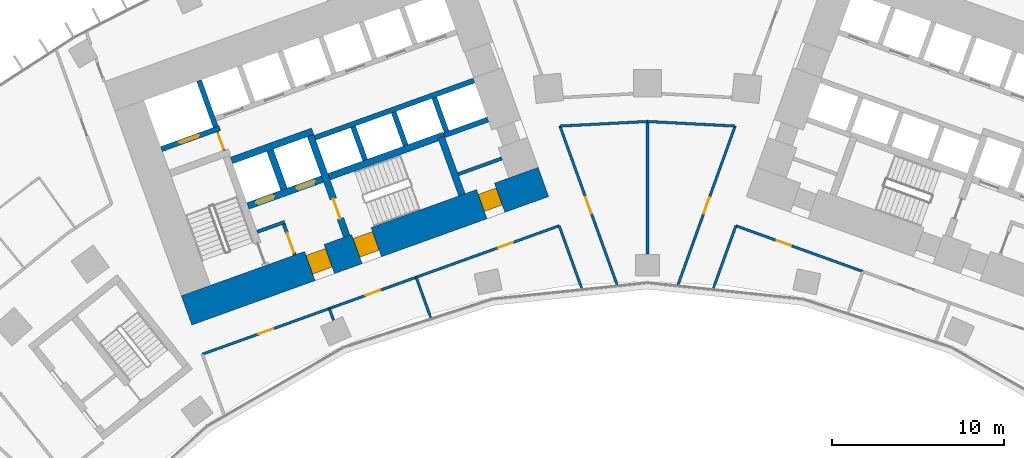
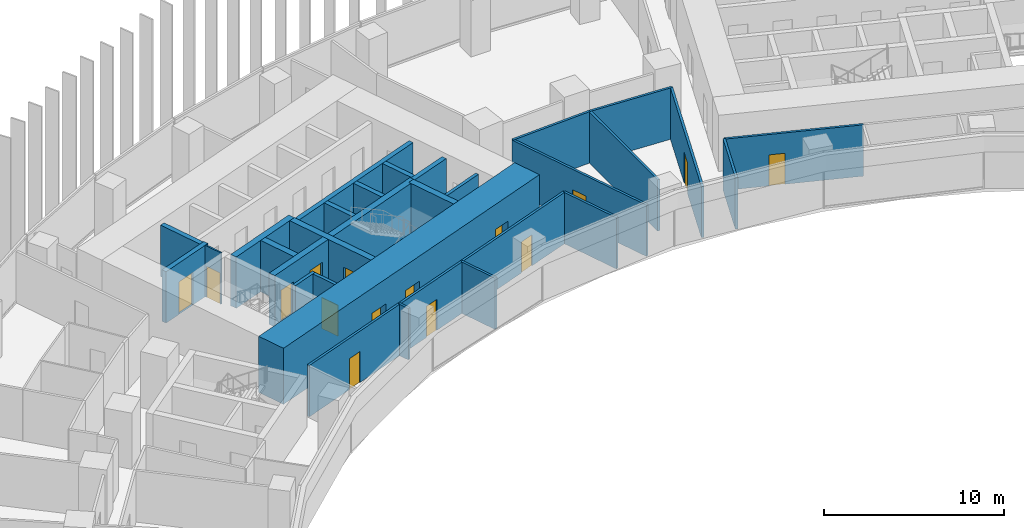
# One storey, part 18 of 24: 30 walls, 15 doors, 15 openings.
"""IFC4 building model written with IfcOpenShell, lengths in metres."""

from ifc_helpers import new_model, si_unit, direction, frame, frame_2d, origin, place, context, subcontext, project, spatial, rectangle, extrude, material, layer, layer_set, type_object, element, fill, save


model = new_model("IFC4")

# Units and contexts
model_context = context("Model", 3, precision=1e-05, world=origin(), true_north=direction((0.0, 1.0)))
body_context = subcontext(model_context, "Body", "Model", "MODEL_VIEW")
ifc_project = project(units=[si_unit("LENGTHUNIT", "METRE"), si_unit("AREAUNIT", "SQUARE_METRE"), si_unit("VOLUMEUNIT", "CUBIC_METRE"), si_unit("PLANEANGLEUNIT", "RADIAN"), si_unit("MASSUNIT", "GRAM", prefix="KILO")], contexts=[model_context])

# Site, building, storey
site_placement = place(None, origin())
site = spatial("IfcSite", under=ifc_project, at=site_placement, CompositionType="ELEMENT")
building_placement = place(site_placement, origin())
building = spatial("IfcBuilding", under=site, at=building_placement, Name="Stone Belt Terrace Tower", CompositionType="ELEMENT")
storey_placement = place(building_placement, frame((0.0, 0.0, 41.39990234375)))
storey = spatial("IfcBuildingStorey", under=building, at=storey_placement, Name="L09", CompositionType="ELEMENT", Elevation=41.39990234375)

# Wall, opening, door
ifc_material_1 = material(Name="Plasterboard partition")
ifc_layer_1 = layer(ifc_material_1, 0.10009765625)
ifc_layer_set_1 = layer_set([ifc_layer_1], Name="Core partition 100")
wall_type_1 = type_object("IfcWallType", Name="Core partition 100", PredefinedType="PARTITIONING", material=ifc_layer_set_1)
wall_1_placement = place(storey_placement, frame((-24.555908203125, 51.10400390625, 0.0), z_axis=(0.0, 0.0, 1.0), x_axis=(-0.338621735342, 0.94092258999, 0.0)))
wall_1 = element("IfcWall", 1, at=wall_1_placement, inside=storey, type_object=wall_type_1, Name="Core A wall", PredefinedType="PARTITIONING", context=body_context, shape_type="SweptSolid", body=[
    extrude(rectangle(XDim=1.14990234375, YDim=0.10009765625, at=frame_2d((0.574951171875, 0.0))), origin(), (0.0, 0.0, 1.0), 3.47998046875),
])
opening_1_placement = place(wall_1_placement, frame((0.050048828125, 0.0, 0.0)))
opening_1 = element("IfcOpeningElement", 2, at=opening_1_placement, cuts=wall_1, Name="Opening L09-C01", PredefinedType="OPENING", context=body_context, shape_type="SweptSolid", body=[
    extrude(rectangle(XDim=1.0, YDim=2.10009765625, at=frame_2d((0.5, 1.050048828125))), frame((0.0, 0.06005859375, 0.0), z_axis=(0.0, -1.0, 0.0), x_axis=(1.0, 0.0, 0.0)), (0.0, 0.0, 1.0), 0.1201171875),
])
ifc_material_2 = material(Name="Timber door leaf", Category="wood")
door_type_1 = type_object("IfcDoorType", Name="Core room door 1000", OperationType="SINGLE_SWING_LEFT", PredefinedType="DOOR", material=ifc_material_2)
door_1_placement = place(opening_1_placement, origin())
door_1 = element("IfcDoor", 3, at=door_1_placement, inside=storey, type_object=door_type_1, Name="Service lift lobby door core A", OperationType="SINGLE_SWING_RIGHT", OverallHeight=2.10009765625, OverallWidth=1.0, PredefinedType="DOOR", context=body_context, shape_type="SweptSolid", body=[
    extrude(rectangle(XDim=1.0, YDim=2.10009765625, at=frame_2d((0.5, 1.050048828125))), frame((0.0, 0.02490234375, 0.0), z_axis=(0.0, -1.0, 0.0), x_axis=(1.0, 0.0, 0.0)), (0.0, 0.0, 1.0), 0.050048828125),
])
fill(opening_1, door_1)

# Wall, openings, doors
ifc_material_3 = material(Name="Concrete B80", Category="concrete")
ifc_layer_2 = layer(ifc_material_3, 1.800048828125)
ifc_layer_set_2 = layer_set([ifc_layer_2], Name="Core wall 1800 B80")
wall_type_2 = type_object("IfcWallType", Name="Core wall 1800 B80", PredefinedType="SHEAR", material=ifc_layer_set_2)
wall_2_placement = place(storey_placement, frame((-26.739501953125, 41.815673828125, 0.0), z_axis=(0.0, 0.0, 1.0), x_axis=(0.940921642213, 0.338624368902, 0.0)))
wall_2 = element("IfcWall", 4, at=wall_2_placement, inside=storey, type_object=wall_type_2, Name="Core A wall concave L09", PredefinedType="SHEAR", context=body_context, shape_type="SweptSolid", body=[
    extrude(rectangle(XDim=22.0, YDim=1.800048828125, at=frame_2d((11.0, 0.0))), origin(), (0.0, 0.0, 1.0), 3.800048828125),
])
opening_2_placement = place(wall_2_placement, frame((7.60009765625, 0.0, 0.0)))
opening_2 = element("IfcOpeningElement", 5, at=opening_2_placement, cuts=wall_2, Name="Opening L09-C05", PredefinedType="OPENING", context=body_context, shape_type="SweptSolid", body=[
    extrude(rectangle(XDim=1.199951171875, YDim=2.10009765625, at=frame_2d((0.60009765625, 1.050048828125))), frame((0.0, 0.909912109375, 0.0), z_axis=(0.0, -1.0, 0.0), x_axis=(1.0, 0.0, 0.0)), (0.0, 0.0, 1.0), 1.820068359375),
])
opening_3_placement = place(wall_2_placement, frame((10.5, 0.0, 0.0)))
opening_3 = element("IfcOpeningElement", 6, at=opening_3_placement, cuts=wall_2, Name="Opening L09-C07", PredefinedType="OPENING", context=body_context, shape_type="SweptSolid", body=[
    extrude(rectangle(XDim=1.199951171875, YDim=2.10009765625, at=frame_2d((0.60009765625, 1.050048828125))), frame((0.0, 0.909912109375, 0.0), z_axis=(0.0, -1.0, 0.0), x_axis=(1.0, 0.0, 0.0)), (0.0, 0.0, 1.0), 1.820068359375),
])
opening_4_placement = place(wall_2_placement, frame((18.199951171875, 0.0, 0.0)))
opening_4 = element("IfcOpeningElement", 7, at=opening_4_placement, cuts=wall_2, Name="Opening L09-C09", PredefinedType="OPENING", context=body_context, shape_type="SweptSolid", body=[
    extrude(rectangle(XDim=1.10009765625, YDim=2.10009765625, at=frame_2d((0.550048828125, 1.050048828125))), frame((0.0, 0.909912109375, 0.0), z_axis=(0.0, -1.0, 0.0), x_axis=(1.0, 0.0, 0.0)), (0.0, 0.0, 1.0), 1.820068359375),
])
door_type_2 = type_object("IfcDoorType", Name="Core room door 1100", OperationType="SINGLE_SWING_LEFT", PredefinedType="DOOR", material=ifc_material_2)
door_2_placement = place(opening_4_placement, origin())
door_2 = element("IfcDoor", 8, at=door_2_placement, inside=storey, type_object=door_type_2, Name="Door to Pipe riser core A", OperationType="SINGLE_SWING_RIGHT", OverallHeight=2.10009765625, OverallWidth=1.10009765625, PredefinedType="DOOR", context=body_context, shape_type="SweptSolid", body=[
    extrude(rectangle(XDim=1.10009765625, YDim=2.10009765625, at=frame_2d((0.550048828125, 1.050048828125))), frame((0.0, 0.60498046875, 0.0), z_axis=(0.0, -1.0, 0.0), x_axis=(1.0, 0.0, 0.0)), (0.0, 0.0, 1.0), 1.050048828125),
])
fill(opening_4, door_2)
ifc_material_4 = material(Name="Steel door leaf", Category="steel")
door_type_3 = type_object("IfcDoorType", Name="Fire-fighting lobby door 1200", OperationType="SINGLE_SWING_LEFT", PredefinedType="DOOR", material=ifc_material_4)
door_3_placement = place(opening_2_placement, origin())
door_3 = element("IfcDoor", 9, at=door_3_placement, inside=storey, type_object=door_type_3, Name="Fire-fighting lobby door core A", OperationType="SINGLE_SWING_RIGHT", OverallHeight=2.10009765625, OverallWidth=1.199951171875, PredefinedType="DOOR", context=body_context, shape_type="SweptSolid", body=[
    extrude(rectangle(XDim=1.199951171875, YDim=2.10009765625, at=frame_2d((0.60009765625, 1.050048828125))), frame((0.0, 0.655029296875, 0.0), z_axis=(0.0, -1.0, 0.0), x_axis=(1.0, 0.0, 0.0)), (0.0, 0.0, 1.0), 1.14990234375),
])
fill(opening_2, door_3)
door_type_4 = type_object("IfcDoorType", Name="Stair door 1200", OperationType="SINGLE_SWING_LEFT", PredefinedType="DOOR", material=ifc_material_4)
door_4_placement = place(opening_3_placement, origin())
door_4 = element("IfcDoor", 10, at=door_4_placement, inside=storey, type_object=door_type_4, Name="Stair 2 exit door core A", OperationType="SINGLE_SWING_LEFT", OverallHeight=2.10009765625, OverallWidth=1.199951171875, PredefinedType="DOOR", context=body_context, shape_type="SweptSolid", body=[
    extrude(rectangle(XDim=1.199951171875, YDim=2.10009765625, at=frame_2d((0.60009765625, 1.050048828125))), frame((0.0, 0.655029296875, 0.0), z_axis=(0.0, -1.0, 0.0), x_axis=(1.0, 0.0, 0.0)), (0.0, 0.0, 1.0), 1.14990234375),
])
fill(opening_3, door_4)

# Walls
ifc_layer_3 = layer(ifc_material_3, 0.39990234375)
ifc_layer_set_3 = layer_set([ifc_layer_3], Name="Fire-fighting lift shaft wall 400")
wall_type_3 = type_object("IfcWallType", Name="Fire-fighting lift shaft wall 400", PredefinedType="SHEAR", material=ifc_layer_set_3)
wall_3_placement = place(storey_placement, frame((-24.130615234375, 50.512939453125, 0.0), z_axis=(0.0, 0.0, 1.0), x_axis=(0.94091168377, 0.338652038744, 0.0)))
element("IfcWall", 11, at=wall_3_placement, inside=storey, type_object=wall_type_3, Name="Core A wall", PredefinedType="SHEAR", context=body_context, shape_type="SweptSolid", body=[
    extrude(rectangle(XDim=5.000244140625, YDim=0.39990234375, at=frame_2d((2.5, 0.0))), origin(), (0.0, 0.0, 1.0), 3.47998046875),
])
wall_4_placement = place(storey_placement, frame((-21.0859375, 48.845458984375, 0.0), z_axis=(0.0, 0.0, 1.0), x_axis=(-0.338629416206, 0.940919825745, 0.0)))
element("IfcWall", 12, at=wall_4_placement, inside=storey, type_object=wall_type_3, Name="Core A wall", PredefinedType="SHEAR", context=body_context, shape_type="SweptSolid", body=[
    extrude(rectangle(XDim=2.400146484375, YDim=0.39990234375, at=frame_2d((1.2001953125, 0.0))), origin(), (0.0, 0.0, 1.0), 3.47998046875),
])

# Wall, opening, door
ifc_layer_4 = layer(ifc_material_3, 0.300048828125)
ifc_layer_set_4 = layer_set([ifc_layer_4], Name="Lift shaft wall 300")
wall_type_4 = type_object("IfcWallType", Name="Lift shaft wall 300", PredefinedType="SHEAR", material=ifc_layer_set_4)
wall_5_placement = place(storey_placement, frame((-28.195068359375, 51.17578125, 0.0), z_axis=(0.0, 0.0, 1.0), x_axis=(0.940901243567, 0.338681044427, 0.0)))
wall_5 = element("IfcWall", 13, at=wall_5_placement, inside=storey, type_object=wall_type_4, Name="Core A wall", PredefinedType="SHEAR", context=body_context, shape_type="SweptSolid", body=[
    extrude(rectangle(XDim=3.599853515625, YDim=0.300048828125, at=frame_2d((1.7998046875, 0.0))), origin(), (0.0, 0.0, 1.0), 3.47998046875),
])
opening_5_placement = place(wall_5_placement, frame((1.1201171875, 0.0, 0.0)))
opening_5 = element("IfcOpeningElement", 14, at=opening_5_placement, cuts=wall_5, Name="Opening L09-LD09", PredefinedType="OPENING", context=body_context, shape_type="SweptSolid", body=[
    extrude(rectangle(XDim=1.199951171875, YDim=2.199951171875, at=frame_2d((0.60009765625, 1.10009765625))), frame((0.0, 0.159912109375, 0.0), z_axis=(0.0, -1.0, 0.0), x_axis=(1.0, 0.0, 0.0)), (0.0, 0.0, 1.0), 0.320068359375),
])
ifc_material_5 = material(Name="Stainless steel door leaf", Category="steel")
door_type_5 = type_object("IfcDoorType", Name="Landing door 1200", OperationType="SLIDING_TO_LEFT", PredefinedType="DOOR", material=ifc_material_5)
door_5_placement = place(opening_5_placement, origin())
door_5 = element("IfcDoor", 15, at=door_5_placement, inside=storey, type_object=door_type_5, Name="Landing door SV1 core A", OperationType="SLIDING_TO_LEFT", OverallHeight=2.199951171875, OverallWidth=1.199951171875, PredefinedType="DOOR", context=body_context, shape_type="SweptSolid", body=[
    extrude(rectangle(XDim=1.199951171875, YDim=2.199951171875, at=frame_2d((0.60009765625, 1.10009765625))), frame((0.0, 0.02490234375, 0.0), z_axis=(0.0, -1.0, 0.0), x_axis=(1.0, 0.0, 0.0)), (0.0, 0.0, 1.0), 0.050048828125),
])
fill(opening_5, door_5)

# Walls
wall_6_placement = place(storey_placement, frame((-25.046875, 52.46826171875, 0.0), z_axis=(0.0, 0.0, 1.0), x_axis=(-0.338549588058, 0.940948551423, 0.0)))
element("IfcWall", 16, at=wall_6_placement, inside=storey, type_object=wall_type_4, Name="Core A wall", PredefinedType="SHEAR", context=body_context, shape_type="SweptSolid", body=[
    extrude(rectangle(XDim=2.849853515625, YDim=0.300048828125, at=frame_2d((1.4248046875, 0.0))), origin(), (0.0, 0.0, 1.0), 3.47998046875),
])
wall_7_placement = place(storey_placement, frame((-19.29052734375, 51.829833984375, 0.0), z_axis=(0.0, 0.0, 1.0), x_axis=(0.940925833398, 0.338612722803, 0.0)))
element("IfcWall", 17, at=wall_7_placement, inside=storey, type_object=wall_type_4, Name="Core A wall", PredefinedType="SHEAR", context=body_context, shape_type="SweptSolid", body=[
    extrude(rectangle(XDim=9.7998046875, YDim=0.300048828125, at=frame_2d((4.89990234375, 0.0))), origin(), (0.0, 0.0, 1.0), 3.47998046875),
])
for number, where, z_axis, x_axis, name in (
    (18, (-16.38134765625, 50.53857421875, 0.0), (0.0, 0.0, 1.0), (-0.338681515556, 0.940901073982, 0.0), "Core A wall"),
    (19, (-14.029052734375, 51.38525390625, 0.0), (0.0, 0.0, 1.0), (-0.338681515556, 0.940901073982, 0.0), "Core A wall"),
):
    element("IfcWall", number, at=place(storey_placement, frame(where, z_axis=z_axis, x_axis=x_axis)), inside=storey, type_object=wall_type_4, Name=name, PredefinedType="SHEAR", context=body_context, shape_type="SweptSolid", body=[
        extrude(rectangle(XDim=2.050048828125, YDim=0.300048828125, at=frame_2d((1.02490234375, 0.0))), origin(), (0.0, 0.0, 1.0), 3.47998046875),
    ])
wall_8_placement = place(storey_placement, frame((-11.797119140625, 51.975830078125, 0.0), z_axis=(0.0, 0.0, 1.0), x_axis=(0.940910465161, 0.33865542451, 0.0)))
element("IfcWall", 20, at=wall_8_placement, inside=storey, type_object=wall_type_4, Name="Core A wall", PredefinedType="SHEAR", context=body_context, shape_type="SweptSolid", body=[
    extrude(rectangle(XDim=2.69970703125, YDim=0.300048828125, at=frame_2d((1.349853515625, 0.0))), origin(), (0.0, 0.0, 1.0), 3.47998046875),
])
wall_9_placement = place(storey_placement, frame((-11.659912109375, 52.184814453125, 0.0), z_axis=(0.0, 0.0, 1.0), x_axis=(-0.338670064856, 0.940905195634, 0.0)))
element("IfcWall", 21, at=wall_9_placement, inside=storey, type_object=wall_type_4, Name="Core A wall", PredefinedType="SHEAR", context=body_context, shape_type="SweptSolid", body=[
    extrude(rectangle(XDim=2.099853515625, YDim=0.300048828125, at=frame_2d((1.0498046875, 0.0))), origin(), (0.0, 0.0, 1.0), 3.47998046875),
])
ifc_material_6 = material(Name="Gypsum board partition")
ifc_layer_5 = layer(ifc_material_6, 0.14990234375)
ifc_layer_set_5 = layer_set([ifc_layer_5], Name="PARTITION 150 EI 60")
wall_type_5 = type_object("IfcWallType", Name="PARTITION 150 EI 60", PredefinedType="PARTITIONING", material=ifc_layer_set_5)
wall_10_placement = place(storey_placement, frame((-3.8193359375, 43.0986328125, 0.0), z_axis=(0.0, 0.0, 1.0), x_axis=(-0.338714989495, 0.940889024217, 0.0)))
element("IfcWall", 22, at=wall_10_placement, inside=storey, type_object=wall_type_5, Name="L09/wall/i005", PredefinedType="PARTITIONING", context=body_context, shape_type="SweptSolid", body=[
    extrude(rectangle(XDim=3.860595703125, YDim=0.14990234375, at=frame_2d((1.93017578125, 0.0))), origin(), (0.0, 0.0, 1.0), 3.47998046875),
])

# Wall, opening, door
wall_11_placement = place(storey_placement, frame((-5.0830078125, 52.514892578125, 0.0), z_axis=(0.0, 0.0, 1.0), x_axis=(0.338660235858, -0.940908733432, 0.0)))
wall_11 = element("IfcWall", 23, at=wall_11_placement, inside=storey, type_object=wall_type_5, Name="L09/wall/i007", PredefinedType="PARTITIONING", context=body_context, shape_type="SweptSolid", body=[
    extrude(rectangle(XDim=9.779052734375, YDim=0.14990234375, at=frame_2d((4.8896484375, 0.0))), origin(), (0.0, 0.0, 1.0), 3.47998046875),
])
opening_6_placement = place(wall_11_placement, frame((4.389404296875, 0.0, 0.0)))
opening_6 = element("IfcOpeningElement", 24, at=opening_6_placement, cuts=wall_11, Name="Opening D-A2-29", PredefinedType="OPENING", context=body_context, shape_type="SweptSolid", body=[
    extrude(rectangle(XDim=1.0, YDim=2.10009765625, at=frame_2d((0.5, 1.050048828125))), frame((0.0, 0.0849609375, 0.0), z_axis=(0.0, -1.0, 0.0), x_axis=(1.0, 0.0, 0.0)), (0.0, 0.0, 1.0), 0.169921875),
])
ifc_material_7 = material(Name="Timber fire door leaf", Category="wood")
door_type_6 = type_object("IfcDoorType", Name="TENANCY ENTRANCE DOOR 1000 X 2100", OperationType="NOTDEFINED", PredefinedType="DOOR", material=ifc_material_7)
door_6_placement = place(opening_6_placement, origin())
door_6 = element("IfcDoor", 25, at=door_6_placement, inside=storey, type_object=door_type_6, Name="L09/door/i29", OperationType="SINGLE_SWING_LEFT", OverallHeight=2.10009765625, OverallWidth=1.0, PredefinedType="DOOR", context=body_context, shape_type="SweptSolid", body=[
    extrude(rectangle(XDim=1.0, YDim=2.10009765625, at=frame_2d((0.5, 1.050048828125))), frame((0.0, 0.02490234375, 0.0), z_axis=(0.0, -1.0, 0.0), x_axis=(1.0, 0.0, 0.0)), (0.0, 0.0, 1.0), 0.050048828125),
])
fill(opening_6, door_6)

wall_12_placement = place(storey_placement, frame((-18.452880859375, 41.927978515625, 0.0), z_axis=(0.0, 0.0, 1.0), x_axis=(-0.94092276024, -0.338621262271, 0.0)))
wall_12 = element("IfcWall", 26, at=wall_12_placement, inside=storey, type_object=wall_type_5, Name="L09/wall/i010", PredefinedType="PARTITIONING", context=body_context, shape_type="SweptSolid", body=[
    extrude(rectangle(XDim=7.8349609375, YDim=0.14990234375, at=frame_2d((3.91748046875, 0.0))), origin(), (0.0, 0.0, 1.0), 3.47998046875),
])
opening_7_placement = place(wall_12_placement, frame((3.467529296875, 0.0, 0.0)))
opening_7 = element("IfcOpeningElement", 27, at=opening_7_placement, cuts=wall_12, Name="Opening D-A2-01", PredefinedType="OPENING", context=body_context, shape_type="SweptSolid", body=[
    extrude(rectangle(XDim=0.89990234375, YDim=2.10009765625, at=frame_2d((0.449951171875, 1.050048828125))), frame((0.0, 0.0849609375, 0.0), z_axis=(0.0, -1.0, 0.0), x_axis=(1.0, 0.0, 0.0)), (0.0, 0.0, 1.0), 0.169921875),
])
door_type_7 = type_object("IfcDoorType", Name="OFFICE DOOR 900 X 2100", OperationType="NOTDEFINED", PredefinedType="DOOR", material=ifc_material_2)
door_7_placement = place(opening_7_placement, origin())
door_7 = element("IfcDoor", 28, at=door_7_placement, inside=storey, type_object=door_type_7, Name="L09/door/i01", OperationType="SINGLE_SWING_RIGHT", OverallHeight=2.10009765625, OverallWidth=0.89990234375, PredefinedType="DOOR", context=body_context, shape_type="SweptSolid", body=[
    extrude(rectangle(XDim=0.89990234375, YDim=2.10009765625, at=frame_2d((0.449951171875, 1.050048828125))), frame((0.0, 0.02490234375, 0.0), z_axis=(0.0, -1.0, 0.0), x_axis=(1.0, 0.0, 0.0)), (0.0, 0.0, 1.0), 0.050048828125),
])
fill(opening_7, door_7)

wall_13_placement = place(storey_placement, frame((-13.4130859375, 43.741943359375, 0.0), z_axis=(0.0, 0.0, 1.0), x_axis=(-0.940937832087, -0.33857937939, 0.0)))
wall_13 = element("IfcWall", 29, at=wall_13_placement, inside=storey, type_object=wall_type_5, Name="L09/wall/i011", PredefinedType="PARTITIONING", context=body_context, shape_type="SweptSolid", body=[
    extrude(rectangle(XDim=5.369140625, YDim=0.14990234375, at=frame_2d((2.6845703125, 0.0))), origin(), (0.0, 0.0, 1.0), 3.47998046875),
])
opening_8_placement = place(wall_13_placement, frame((2.234619140625, 0.0, 0.0)))
opening_8 = element("IfcOpeningElement", 30, at=opening_8_placement, cuts=wall_13, Name="Opening D-A2-02", PredefinedType="OPENING", context=body_context, shape_type="SweptSolid", body=[
    extrude(rectangle(XDim=0.89990234375, YDim=2.10009765625, at=frame_2d((0.449951171875, 1.050048828125))), frame((0.0, 0.0849609375, 0.0), z_axis=(0.0, -1.0, 0.0), x_axis=(1.0, 0.0, 0.0)), (0.0, 0.0, 1.0), 0.169921875),
])
door_8_placement = place(opening_8_placement, origin())
door_8 = element("IfcDoor", 31, at=door_8_placement, inside=storey, type_object=door_type_7, Name="L09/door/i02", OperationType="SINGLE_SWING_RIGHT", OverallHeight=2.10009765625, OverallWidth=0.89990234375, PredefinedType="DOOR", context=body_context, shape_type="SweptSolid", body=[
    extrude(rectangle(XDim=0.89990234375, YDim=2.10009765625, at=frame_2d((0.449951171875, 1.050048828125))), frame((0.0, 0.02490234375, 0.0), z_axis=(0.0, -1.0, 0.0), x_axis=(1.0, 0.0, 0.0)), (0.0, 0.0, 1.0), 0.050048828125),
])
fill(opening_8, door_8)

wall_14_placement = place(storey_placement, frame((-5.125, 46.72509765625, 0.0), z_axis=(0.0, 0.0, 1.0), x_axis=(-0.940921983138, -0.338623421587, 0.0)))
wall_14 = element("IfcWall", 32, at=wall_14_placement, inside=storey, type_object=wall_type_5, Name="L09/wall/i012", PredefinedType="PARTITIONING", context=body_context, shape_type="SweptSolid", body=[
    extrude(rectangle(XDim=8.8212890625, YDim=0.14990234375, at=frame_2d((4.41064453125, 0.0))), origin(), (0.0, 0.0, 1.0), 3.47998046875),
])
opening_9_placement = place(wall_14_placement, frame((2.8623046875, 0.0, 0.0)))
opening_9 = element("IfcOpeningElement", 33, at=opening_9_placement, cuts=wall_14, Name="Opening D-A2-03", PredefinedType="OPENING", context=body_context, shape_type="SweptSolid", body=[
    extrude(rectangle(XDim=0.89990234375, YDim=2.10009765625, at=frame_2d((0.449951171875, 1.050048828125))), frame((0.0, 0.0849609375, 0.0), z_axis=(0.0, -1.0, 0.0), x_axis=(1.0, 0.0, 0.0)), (0.0, 0.0, 1.0), 0.169921875),
])
door_9_placement = place(opening_9_placement, origin())
door_9 = element("IfcDoor", 34, at=door_9_placement, inside=storey, type_object=door_type_7, Name="L09/door/i03", OperationType="SINGLE_SWING_LEFT", OverallHeight=2.10009765625, OverallWidth=0.89990234375, PredefinedType="DOOR", context=body_context, shape_type="SweptSolid", body=[
    extrude(rectangle(XDim=0.89990234375, YDim=2.10009765625, at=frame_2d((0.449951171875, 1.050048828125))), frame((0.0, 0.02490234375, 0.0), z_axis=(0.0, -1.0, 0.0), x_axis=(1.0, 0.0, 0.0)), (0.0, 0.0, 1.0), 0.050048828125),
])
fill(opening_9, door_9)

# Walls
wall_15_placement = place(storey_placement, frame((-18.458984375, 41.926025390625, 0.0), z_axis=(0.0, 0.0, 1.0), x_axis=(0.338488487896, -0.940970532781, 0.0)))
element("IfcWall", 35, at=wall_15_placement, inside=storey, type_object=wall_type_5, Name="L09/wall/i013", PredefinedType="PARTITIONING", context=body_context, shape_type="SweptSolid", body=[
    extrude(rectangle(XDim=0.711181640625, YDim=0.14990234375, at=frame_2d((0.35546875, 0.0))), origin(), (0.0, 0.0, 1.0), 3.47998046875),
])
wall_16_placement = place(storey_placement, frame((-13.4189453125, 43.739990234375, 0.0), z_axis=(0.0, 0.0, 1.0), x_axis=(0.338712511147, -0.940889916405, 0.0)))
element("IfcWall", 36, at=wall_16_placement, inside=storey, type_object=wall_type_5, Name="L09/wall/i014", PredefinedType="PARTITIONING", context=body_context, shape_type="SweptSolid", body=[
    extrude(rectangle(XDim=2.4853515625, YDim=0.14990234375, at=frame_2d((1.24267578125, 0.0))), origin(), (0.0, 0.0, 1.0), 3.47998046875),
])
wall_17_placement = place(storey_placement, frame((5.126953125, 46.73095703125, 0.0), z_axis=(0.0, 0.0, 1.0), x_axis=(-0.338714989495, -0.940889024217, 0.0)))
element("IfcWall", 37, at=wall_17_placement, inside=storey, type_object=wall_type_5, Name="L09/wall/i016", PredefinedType="PARTITIONING", context=body_context, shape_type="SweptSolid", body=[
    extrude(rectangle(XDim=3.860595703125, YDim=0.14990234375, at=frame_2d((1.93017578125, 0.0))), origin(), (0.0, 0.0, 1.0), 3.47998046875),
])

# Wall, opening, door
wall_18_placement = place(storey_placement, frame((1.771240234375, 43.313720703125, 0.0), z_axis=(0.0, 0.0, 1.0), x_axis=(0.338660235858, 0.940908733432, 0.0)))
wall_18 = element("IfcWall", 38, at=wall_18_placement, inside=storey, type_object=wall_type_5, Name="L09/wall/i018", PredefinedType="PARTITIONING", context=body_context, shape_type="SweptSolid", body=[
    extrude(rectangle(XDim=9.779052734375, YDim=0.14990234375, at=frame_2d((4.8896484375, 0.0))), origin(), (0.0, 0.0, 1.0), 3.47998046875),
])
opening_10_placement = place(wall_18_placement, frame((4.389404296875, 0.0, 0.0)))
opening_10 = element("IfcOpeningElement", 39, at=opening_10_placement, cuts=wall_18, Name="Opening D-A2-30", PredefinedType="OPENING", context=body_context, shape_type="SweptSolid", body=[
    extrude(rectangle(XDim=1.0, YDim=2.10009765625, at=frame_2d((0.5, 1.050048828125))), frame((0.0, 0.0849609375, 0.0), z_axis=(0.0, -1.0, 0.0), x_axis=(1.0, 0.0, 0.0)), (0.0, 0.0, 1.0), 0.169921875),
])
door_10_placement = place(opening_10_placement, origin())
door_10 = element("IfcDoor", 40, at=door_10_placement, inside=storey, type_object=door_type_6, Name="L09/door/i30", OperationType="SINGLE_SWING_LEFT", OverallHeight=2.10009765625, OverallWidth=1.0, PredefinedType="DOOR", context=body_context, shape_type="SweptSolid", body=[
    extrude(rectangle(XDim=1.0, YDim=2.10009765625, at=frame_2d((0.5, 1.050048828125))), frame((0.0, 0.02490234375, 0.0), z_axis=(0.0, -1.0, 0.0), x_axis=(1.0, 0.0, 0.0)), (0.0, 0.0, 1.0), 0.050048828125),
])
fill(opening_10, door_10)

wall_19_placement = place(storey_placement, frame((12.4970703125, 44.072021484375, 0.0), z_axis=(0.0, 0.0, 1.0), x_axis=(-0.94092276024, 0.338621262271, 0.0)))
wall_19 = element("IfcWall", 41, at=wall_19_placement, inside=storey, type_object=wall_type_5, Name="L09/wall/i028", PredefinedType="PARTITIONING", context=body_context, shape_type="SweptSolid", body=[
    extrude(rectangle(XDim=7.8349609375, YDim=0.14990234375, at=frame_2d((3.91748046875, 0.0))), origin(), (0.0, 0.0, 1.0), 3.47998046875),
])
opening_11_placement = place(wall_19_placement, frame((4.417724609375, 0.0, 0.0)))
opening_11 = element("IfcOpeningElement", 42, at=opening_11_placement, cuts=wall_19, Name="Opening D-A2-06", PredefinedType="OPENING", context=body_context, shape_type="SweptSolid", body=[
    extrude(rectangle(XDim=0.89990234375, YDim=2.10009765625, at=frame_2d((0.449951171875, 1.050048828125))), frame((0.0, 0.0849609375, 0.0), z_axis=(0.0, -1.0, 0.0), x_axis=(1.0, 0.0, 0.0)), (0.0, 0.0, 1.0), 0.169921875),
])
door_11_placement = place(opening_11_placement, origin())
door_11 = element("IfcDoor", 43, at=door_11_placement, inside=storey, type_object=door_type_7, Name="L09/door/i06", OperationType="SINGLE_SWING_RIGHT", OverallHeight=2.10009765625, OverallWidth=0.89990234375, PredefinedType="DOOR", context=body_context, shape_type="SweptSolid", body=[
    extrude(rectangle(XDim=0.89990234375, YDim=2.10009765625, at=frame_2d((0.449951171875, 1.050048828125))), frame((0.0, 0.02490234375, 0.0), z_axis=(0.0, -1.0, 0.0), x_axis=(1.0, 0.0, 0.0)), (0.0, 0.0, 1.0), 0.050048828125),
])
fill(opening_11, door_11)

# Walls
for number, where, z_axis, x_axis, name in (
    (44, (0.0, 52.77490234375, 0.0), (0.0, 0.0, 1.0), (-0.99863382154, -0.052254095313, 0.0), "L09/wall/i088"),
    (45, (5.0810546875, 52.509033203125, 0.0), (0.0, 0.0, 1.0), (-0.99863382154, 0.052254095313, 0.0), "L09/wall/i089"),
):
    element("IfcWall", number, at=place(storey_placement, frame(where, z_axis=z_axis, x_axis=x_axis)), inside=storey, type_object=wall_type_5, Name=name, PredefinedType="PARTITIONING", context=body_context, shape_type="SweptSolid", body=[
        extrude(rectangle(XDim=5.087890625, YDim=0.14990234375, at=frame_2d((2.5439453125, 0.0))), origin(), (0.0, 0.0, 1.0), 3.47998046875),
    ])
wall_20_placement = place(storey_placement, frame((0.0, 52.77490234375, 0.0), z_axis=(0.0, 0.0, 1.0), x_axis=(0.0, -1.0, 0.0)))
element("IfcWall", 46, at=wall_20_placement, inside=storey, type_object=wall_type_5, Name="L09/wall/i092", PredefinedType="PARTITIONING", context=body_context, shape_type="SweptSolid", body=[
    extrude(rectangle(XDim=7.6748046875, YDim=0.14990234375, at=frame_2d((3.83740234375, 0.0))), origin(), (0.0, 0.0, 1.0), 3.47998046875),
])
ifc_material_8 = material(Name="Concrete masonry block", Category="masonry")
ifc_layer_6 = layer(ifc_material_8, 0.199951171875)
ifc_layer_set_6 = layer_set([ifc_layer_6], Name="Rated lobby wall 200")
wall_type_6 = type_object("IfcWallType", Name="Rated lobby wall 200", PredefinedType="PARTITIONING", material=ifc_layer_set_6)
wall_21_placement = place(storey_placement, frame((-22.640625, 46.373046875, 0.0), z_axis=(0.0, 0.0, 1.0), x_axis=(0.940966110313, 0.338500781747, 0.0)))
element("IfcWall", 47, at=wall_21_placement, inside=storey, type_object=wall_type_6, Name="Core A wall", PredefinedType="PARTITIONING", context=body_context, shape_type="SweptSolid", body=[
    extrude(rectangle(XDim=1.699951171875, YDim=0.199951171875, at=frame_2d((0.85009765625, 0.0))), origin(), (0.0, 0.0, 1.0), 3.47998046875),
])

# Wall, opening, door
wall_22_placement = place(storey_placement, frame((-20.4580078125, 45.032958984375, 0.0), z_axis=(0.0, 0.0, 1.0), x_axis=(-0.338573865316, 0.940939816208, 0.0)))
wall_22 = element("IfcWall", 48, at=wall_22_placement, inside=storey, type_object=wall_type_6, Name="Core A wall", PredefinedType="PARTITIONING", context=body_context, shape_type="SweptSolid", body=[
    extrude(rectangle(XDim=1.900146484375, YDim=0.199951171875, at=frame_2d((0.9501953125, 0.0))), origin(), (0.0, 0.0, 1.0), 3.47998046875),
])
opening_12_placement = place(wall_22_placement, frame((0.14990234375, 0.0, 0.0)))
opening_12 = element("IfcOpeningElement", 49, at=opening_12_placement, cuts=wall_22, Name="Opening L09-C04", PredefinedType="OPENING", context=body_context, shape_type="SweptSolid", body=[
    extrude(rectangle(XDim=1.199951171875, YDim=2.10009765625, at=frame_2d((0.60009765625, 1.050048828125))), frame((0.0, 0.10986328125, 0.0), z_axis=(0.0, -1.0, 0.0), x_axis=(1.0, 0.0, 0.0)), (0.0, 0.0, 1.0), 0.219970703125),
])
door_12_placement = place(opening_12_placement, origin())
door_12 = element("IfcDoor", 50, at=door_12_placement, inside=storey, type_object=door_type_4, Name="Stair airlock door core A", OperationType="SINGLE_SWING_RIGHT", OverallHeight=2.10009765625, OverallWidth=1.199951171875, PredefinedType="DOOR", context=body_context, shape_type="SweptSolid", body=[
    extrude(rectangle(XDim=1.199951171875, YDim=2.10009765625, at=frame_2d((0.60009765625, 1.050048828125))), frame((0.0, 0.02490234375, 0.0), z_axis=(0.0, -1.0, 0.0), x_axis=(1.0, 0.0, 0.0)), (0.0, 0.0, 1.0), 0.050048828125),
])
fill(opening_12, door_12)

# Wall
wall_23_placement = place(storey_placement, frame((-10.984619140625, 49.717529296875, 0.0), z_axis=(0.0, 0.0, 1.0), x_axis=(0.940920834877, 0.338626612206, 0.0)))
element("IfcWall", 51, at=wall_23_placement, inside=storey, type_object=wall_type_6, Name="Core A wall", PredefinedType="PARTITIONING", context=body_context, shape_type="SweptSolid", body=[
    extrude(rectangle(XDim=2.699951171875, YDim=0.199951171875, at=frame_2d((1.35009765625, 0.0))), origin(), (0.0, 0.0, 1.0), 3.47998046875),
])

# Wall, openings, doors
ifc_layer_7 = layer(ifc_material_3, 0.39990234375)
ifc_layer_set_7 = layer_set([ifc_layer_7], Name="Stair enclosure wall 400")
wall_type_7 = type_object("IfcWallType", Name="Stair enclosure wall 400", PredefinedType="SHEAR", material=ifc_layer_set_7)
wall_24_placement = place(storey_placement, frame((-23.182373046875, 47.87841796875, 0.0), z_axis=(0.0, 0.0, 1.0), x_axis=(0.940921101762, 0.338625870628, 0.0)))
wall_24 = element("IfcWall", 52, at=wall_24_placement, inside=storey, type_object=wall_type_7, Name="Core A wall", PredefinedType="SHEAR", context=body_context, shape_type="SweptSolid", body=[
    extrude(rectangle(XDim=12.10009765625, YDim=0.39990234375, at=frame_2d((6.050048828125, 0.0))), origin(), (0.0, 0.0, 1.0), 3.47998046875),
])
opening_13_placement = place(wall_24_placement, frame((0.52001953125, 0.0, 0.0)))
opening_13 = element("IfcOpeningElement", 53, at=opening_13_placement, cuts=wall_24, Name="Opening L09-LD07", PredefinedType="OPENING", context=body_context, shape_type="SweptSolid", body=[
    extrude(rectangle(XDim=1.10009765625, YDim=2.199951171875, at=frame_2d((0.550048828125, 1.10009765625))), frame((0.0, 0.2099609375, 0.0), z_axis=(0.0, -1.0, 0.0), x_axis=(1.0, 0.0, 0.0)), (0.0, 0.0, 1.0), 0.419921875),
])
opening_14_placement = place(wall_24_placement, frame((3.02001953125, 0.0, 0.0)))
opening_14 = element("IfcOpeningElement", 54, at=opening_14_placement, cuts=wall_24, Name="Opening L09-LD08", PredefinedType="OPENING", context=body_context, shape_type="SweptSolid", body=[
    extrude(rectangle(XDim=1.10009765625, YDim=2.199951171875, at=frame_2d((0.550048828125, 1.10009765625))), frame((0.0, 0.2099609375, 0.0), z_axis=(0.0, -1.0, 0.0), x_axis=(1.0, 0.0, 0.0)), (0.0, 0.0, 1.0), 0.419921875),
])
door_type_8 = type_object("IfcDoorType", Name="Landing door 1100", OperationType="SLIDING_TO_LEFT", PredefinedType="DOOR", material=ifc_material_5)
door_13_placement = place(opening_13_placement, origin())
door_13 = element("IfcDoor", 55, at=door_13_placement, inside=storey, type_object=door_type_8, Name="Landing door FF1 core A", OperationType="SLIDING_TO_LEFT", OverallHeight=2.199951171875, OverallWidth=1.10009765625, PredefinedType="DOOR", context=body_context, shape_type="SweptSolid", body=[
    extrude(rectangle(XDim=1.10009765625, YDim=2.199951171875, at=frame_2d((0.550048828125, 1.10009765625))), frame((0.0, 0.02490234375, 0.0), z_axis=(0.0, -1.0, 0.0), x_axis=(1.0, 0.0, 0.0)), (0.0, 0.0, 1.0), 0.050048828125),
])
fill(opening_13, door_13)
door_14_placement = place(opening_14_placement, origin())
door_14 = element("IfcDoor", 56, at=door_14_placement, inside=storey, type_object=door_type_8, Name="Landing door FF2 core A", OperationType="SLIDING_TO_LEFT", OverallHeight=2.199951171875, OverallWidth=1.10009765625, PredefinedType="DOOR", context=body_context, shape_type="SweptSolid", body=[
    extrude(rectangle(XDim=1.10009765625, YDim=2.199951171875, at=frame_2d((0.550048828125, 1.10009765625))), frame((0.0, 0.02490234375, 0.0), z_axis=(0.0, -1.0, 0.0), x_axis=(1.0, 0.0, 0.0)), (0.0, 0.0, 1.0), 0.050048828125),
])
fill(opening_14, door_14)

# Wall, opening, door
wall_25_placement = place(storey_placement, frame((-17.447021484375, 46.116455078125, 0.0), z_axis=(0.0, 0.0, 1.0), x_axis=(-0.33860791464, 0.940927563707, 0.0)))
wall_25 = element("IfcWall", 57, at=wall_25_placement, inside=storey, type_object=wall_type_7, Name="Core A wall", PredefinedType="SHEAR", context=body_context, shape_type="SweptSolid", body=[
    extrude(rectangle(XDim=6.199951171875, YDim=0.39990234375, at=frame_2d((3.10009765625, 0.0))), origin(), (0.0, 0.0, 1.0), 3.47998046875),
])
opening_15_placement = place(wall_25_placement, frame((1.10009765625, 0.0, 0.0)))
opening_15 = element("IfcOpeningElement", 58, at=opening_15_placement, cuts=wall_25, Name="Opening L09-C06", PredefinedType="OPENING", context=body_context, shape_type="SweptSolid", body=[
    extrude(rectangle(XDim=1.199951171875, YDim=2.10009765625, at=frame_2d((0.60009765625, 1.050048828125))), frame((0.0, 0.2099609375, 0.0), z_axis=(0.0, -1.0, 0.0), x_axis=(1.0, 0.0, 0.0)), (0.0, 0.0, 1.0), 0.419921875),
])
door_15_placement = place(opening_15_placement, origin())
door_15 = element("IfcDoor", 59, at=door_15_placement, inside=storey, type_object=door_type_4, Name="Stair 2 door core A", OperationType="SINGLE_SWING_RIGHT", OverallHeight=2.10009765625, OverallWidth=1.199951171875, PredefinedType="DOOR", context=body_context, shape_type="SweptSolid", body=[
    extrude(rectangle(XDim=1.199951171875, YDim=2.10009765625, at=frame_2d((0.60009765625, 1.050048828125))), frame((0.0, 0.02490234375, 0.0), z_axis=(0.0, -1.0, 0.0), x_axis=(1.0, 0.0, 0.0)), (0.0, 0.0, 1.0), 0.050048828125),
])
fill(opening_15, door_15)

# Wall
wall_26_placement = place(storey_placement, frame((-10.766357421875, 48.520751953125, 0.0), z_axis=(0.0, 0.0, 1.0), x_axis=(-0.338626928157, 0.94092072117, 0.0)))
element("IfcWall", 60, at=wall_26_placement, inside=storey, type_object=wall_type_7, Name="Core A wall", PredefinedType="SHEAR", context=body_context, shape_type="SweptSolid", body=[
    extrude(rectangle(XDim=3.550048828125, YDim=0.39990234375, at=frame_2d((1.77490234375, 0.0))), origin(), (0.0, 0.0, 1.0), 3.47998046875),
])

save(model, "model.ifc")
